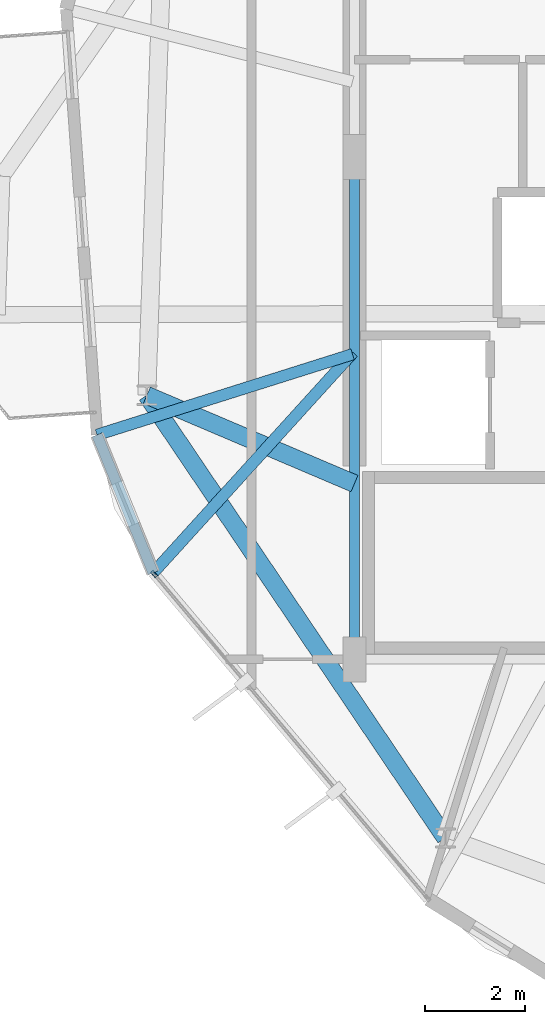
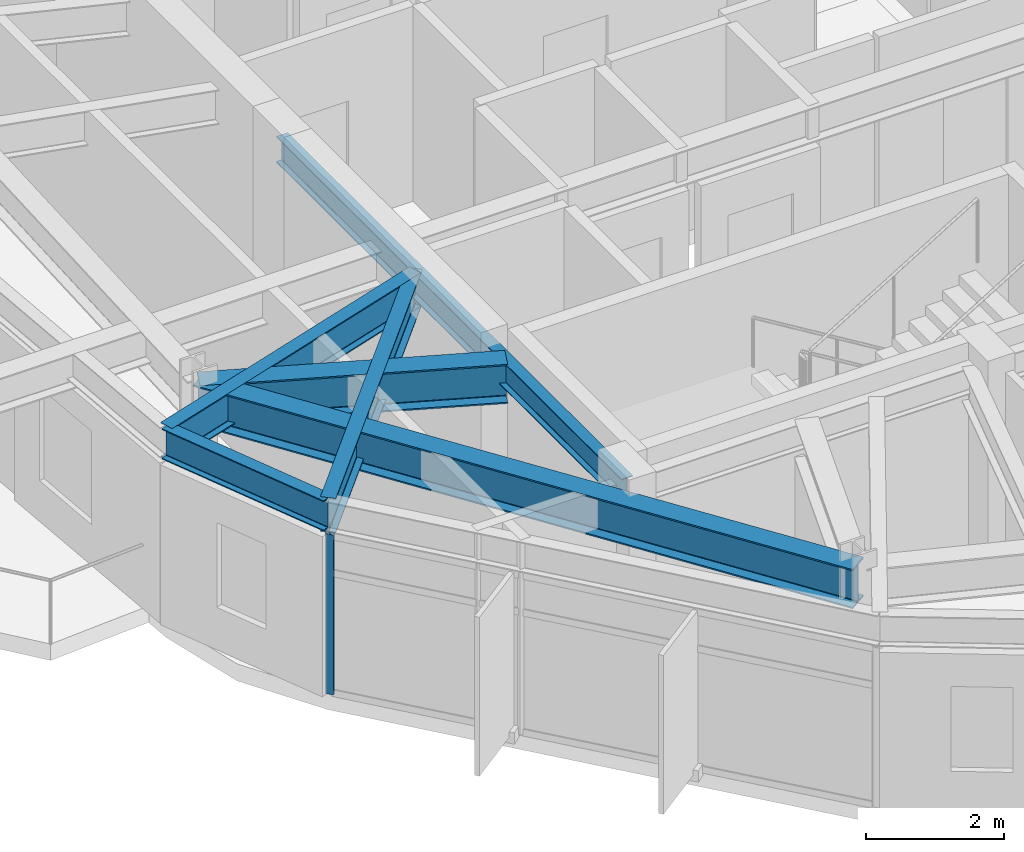
# One storey, part 3 of 26: 6 beams, 1 member, 1 element without a shape of its own.
"""IFC4 building model written with IfcOpenShell, lengths in metres."""

from ifc_helpers import new_model, si_unit, direction, frame, origin, origin_2d, place, context, subcontext, project, spatial, hollow_rectangle, i_section, extrude, material, layer, layer_set, material_profile, profile_set, type_object, element, aggregate, save


model = new_model("IFC4")

# Units and contexts
model_context = context("Model", 3, precision=1e-05, world=origin(), true_north=direction((0.0, 1.0)))
body_context = subcontext(model_context, "Body", "Model", "MODEL_VIEW")
ifc_project = project(units=[si_unit("LENGTHUNIT", "METRE"), si_unit("AREAUNIT", "SQUARE_METRE"), si_unit("VOLUMEUNIT", "CUBIC_METRE"), si_unit("PLANEANGLEUNIT", "RADIAN"), si_unit("MASSUNIT", "GRAM", prefix="KILO")], contexts=[model_context])

# Site, building, storey
site_placement = place(None, origin())
site = spatial("IfcSite", under=ifc_project, at=site_placement, CompositionType="ELEMENT")
building_placement = place(site_placement, origin())
building = spatial("IfcBuilding", under=site, at=building_placement, Name="Soratama Intermodal Tower", CompositionType="ELEMENT")
storey_placement = place(building_placement, frame((0.0, 0.0, 246.25)))
storey = spatial("IfcBuildingStorey", under=building, at=storey_placement, Name="L62", CompositionType="ELEMENT", Elevation=246.25)

# Beams
ifc_material_1 = material(Name="Structural steel ASTM A992 Grade 50", Category="steel")
ifc_material_profile_1 = material_profile(ifc_material_1, i_section(OverallWidth=0.19091796875, OverallDepth=0.4599609375, WebThickness=0.010009765625, FlangeThickness=0.01611328125, FilletRadius=0.010986328125, at=origin_2d()), Name="W18X55")
ifc_profile_set_1 = profile_set([ifc_material_profile_1], Name="Structural steel ASTM A992 Grade 50")
beam_type_1 = type_object("IfcBeamType", Name="BM-FLR-W18X55", PredefinedType="BEAM", material=ifc_profile_set_1)
beam_1_placement = place(storey_placement, frame((32.60009765625, 25.0, 3.219970703125), z_axis=(0.0, -1.0, 0.0), x_axis=(1.0, 0.0, 0.0)))
element("IfcBeam", 1, at=beam_1_placement, inside=storey, type_object=beam_type_1, Name="BM-L62-CRING-09", PredefinedType="BEAM", context=body_context, shape_type="SweptSolid", body=[
    extrude(i_section(OverallWidth=0.19091796875, OverallDepth=0.4599609375, WebThickness=0.010009765625, FlangeThickness=0.01611328125, FilletRadius=0.010986328125, at=origin_2d()), origin(), (0.0, 0.0, 1.0), 10.0),
])
ifc_material_2 = material(Name="Structural steel ASTM A992 Grade 50", Category="steel")
ifc_material_profile_2 = material_profile(ifc_material_2, i_section(OverallWidth=0.35498046875, OverallDepth=0.695068359375, WebThickness=0.015380859375, FlangeThickness=0.02490234375, FilletRadius=0.01611328125, at=origin_2d()), Name="W27X146")
ifc_profile_set_2 = profile_set([ifc_material_profile_2], Name="Structural steel ASTM A992 Grade 50")
beam_type_2 = type_object("IfcBeamType", Name="BM-RING-W27X146", PredefinedType="BEAM", material=ifc_profile_set_2)
beam_2_placement = place(storey_placement, frame((28.466064453125, 20.259033203125, 3.1025390625), z_axis=(0.559218025165, -0.829020627204, 0.0), x_axis=(0.829020627204, 0.559218025165, 0.0)))
element("IfcBeam", 2, at=beam_2_placement, inside=storey, type_object=beam_type_2, Name="BM-L62-RING-06", PredefinedType="BEAM", context=body_context, shape_type="SweptSolid", body=[
    extrude(i_section(OverallWidth=0.35498046875, OverallDepth=0.695068359375, WebThickness=0.015380859375, FlangeThickness=0.02490234375, FilletRadius=0.01611328125, at=origin_2d()), origin(), (0.0, 0.0, 1.0), 10.630615234375),
])
beam_3_placement = place(storey_placement, frame((32.60009765625, 18.5, 3.1025390625), z_axis=(-0.920165049547, 0.391530690485, 0.0), x_axis=(-0.391530690485, -0.920165049547, 0.0)))
element("IfcBeam", 3, at=beam_3_placement, inside=storey, type_object=beam_type_2, Name="BM-L62-RAD-06", PredefinedType="BEAM", context=body_context, shape_type="SweptSolid", body=[
    extrude(i_section(OverallWidth=0.35498046875, OverallDepth=0.695068359375, WebThickness=0.015380859375, FlangeThickness=0.02490234375, FilletRadius=0.01611328125, at=origin_2d()), origin(), (0.0, 0.0, 1.0), 4.49267578125),
])
ifc_material_3 = material(Name="Structural steel ASTM A992 Grade 50", Category="steel")
ifc_material_profile_3 = material_profile(ifc_material_3, i_section(OverallWidth=0.2099609375, OverallDepth=0.537109375, WebThickness=0.010986328125, FlangeThickness=0.017333984375, FilletRadius=0.012939453125, at=origin_2d()), Name="W21X68")
ifc_profile_set_3 = profile_set([ifc_material_profile_3], Name="Structural steel ASTM A992 Grade 50")
beam_type_3 = type_object("IfcBeamType", Name="BM-SPN-W21X68", PredefinedType="SPANDREL", material=ifc_profile_set_3)
beam_4_placement = place(storey_placement, frame((27.47412109375, 19.469970703125, 3.181396484375), z_axis=(0.376933400771, -0.92624036372, 0.0), x_axis=(0.92624036372, 0.376933400771, 0.0)))
element("IfcBeam", 4, at=beam_4_placement, inside=storey, type_object=beam_type_3, Name="BS-L62-CRN04", PredefinedType="SPANDREL", context=body_context, shape_type="SweptSolid", body=[
    extrude(i_section(OverallWidth=0.2099609375, OverallDepth=0.537109375, WebThickness=0.010986328125, FlangeThickness=0.017333984375, FilletRadius=0.012939453125, at=origin_2d()), origin(), (0.0, 0.0, 1.0), 2.9658203125),
])
ifc_material_4 = material(Name="Structural steel ASTM A992 Grade 50", Category="steel")
ifc_material_profile_4 = material_profile(ifc_material_4, i_section(OverallWidth=0.22900390625, OverallDepth=0.612060546875, WebThickness=0.011962890625, FlangeThickness=0.01953125, FilletRadius=0.012939453125, at=origin_2d()), Name="W24X84")
ifc_profile_set_4 = profile_set([ifc_material_profile_4], Name="Structural steel ASTM A992 Grade 50")
beam_type_4 = type_object("IfcBeamType", Name="BM-TIE-W24X84", PredefinedType="BEAM", material=ifc_profile_set_4)
beam_5_placement = place(storey_placement, frame((32.56201171875, 21.075927734375, 3.14404296875), z_axis=(-0.953622768057, -0.301004345887, 0.0), x_axis=(0.301004345887, -0.953622768057, 0.0)))
element("IfcBeam", 5, at=beam_5_placement, inside=storey, type_object=beam_type_4, Name="BM-L62-TIE1-04", PredefinedType="BEAM", context=body_context, shape_type="SweptSolid", body=[
    extrude(i_section(OverallWidth=0.22900390625, OverallDepth=0.612060546875, WebThickness=0.011962890625, FlangeThickness=0.01953125, FilletRadius=0.012939453125, at=origin_2d()), origin(), (0.0, 0.0, 1.0), 5.33544921875),
])
beam_6_placement = place(storey_placement, frame((32.572998046875, 21.10888671875, 3.14404296875), z_axis=(-0.672089947586, -0.740469514804, 0.0), x_axis=(0.740469514804, -0.672089947586, 0.0)))
element("IfcBeam", 6, at=beam_6_placement, inside=storey, type_object=beam_type_4, Name="BM-L62-TIE0-05", PredefinedType="BEAM", context=body_context, shape_type="SweptSolid", body=[
    extrude(i_section(OverallWidth=0.22900390625, OverallDepth=0.612060546875, WebThickness=0.011962890625, FlangeThickness=0.01953125, FilletRadius=0.012939453125, at=origin_2d()), origin(), (0.0, 0.0, 1.0), 5.92333984375),
])

# Curtain wall, member
ifc_material_5 = material(Name="Double-glazed aluminium curtain wall", Category="aluminium")
ifc_layer = layer(ifc_material_5, 0.159912109375)
ifc_layer_set = layer_set([ifc_layer], Name="Double-glazed aluminium curtain wall")
curtain_wall_type = type_object("IfcCurtainWallType", Name="CW-SYS-5", PredefinedType="NOTDEFINED", material=ifc_layer_set)
curtain_wall_placement = place(storey_placement, origin())
curtain_wall = element("IfcCurtainWall", 7, at=curtain_wall_placement, inside=storey, type_object=curtain_wall_type, Name="L62 Faceted Curtain Wall F05", PredefinedType="NOTDEFINED")
ifc_material_6 = material(Name="Anodised aluminium AA 6063-T6", Category="aluminium")
ifc_material_profile_5 = material_profile(ifc_material_6, hollow_rectangle(XDim=0.06494140625, YDim=0.139892578125, WallThickness=0.0048828125, InnerFilletRadius=0.0048828125, OuterFilletRadius=0.010009765625, at=origin_2d()), Name="CWM140X65X5")
ifc_profile_set_5 = profile_set([ifc_material_profile_5], Name="Anodised aluminium AA 6063-T6")
member_type = type_object("IfcMemberType", Name="MT-CWM-5", PredefinedType="MULLION", material=ifc_profile_set_5)
member_placement = place(storey_placement, frame((28.61083984375, 16.699462890625, 0.0), z_axis=(0.0, 0.0, 1.0), x_axis=(0.764466500912, 0.644663454047, 0.0)))
member = element("IfcMember", 8, at=member_placement, type_object=member_type, Name="CW-5 mullion 1", PredefinedType="MULLION", context=body_context, shape_type="SweptSolid", body=[
    extrude(hollow_rectangle(XDim=0.06494140625, YDim=0.139892578125, WallThickness=0.0048828125, InnerFilletRadius=0.0048828125, OuterFilletRadius=0.010009765625, at=origin_2d()), origin(), (0.0, 0.0, 1.0), 2.8291015625),
])
aggregate(curtain_wall, [member])

save(model, "model.ifc")
